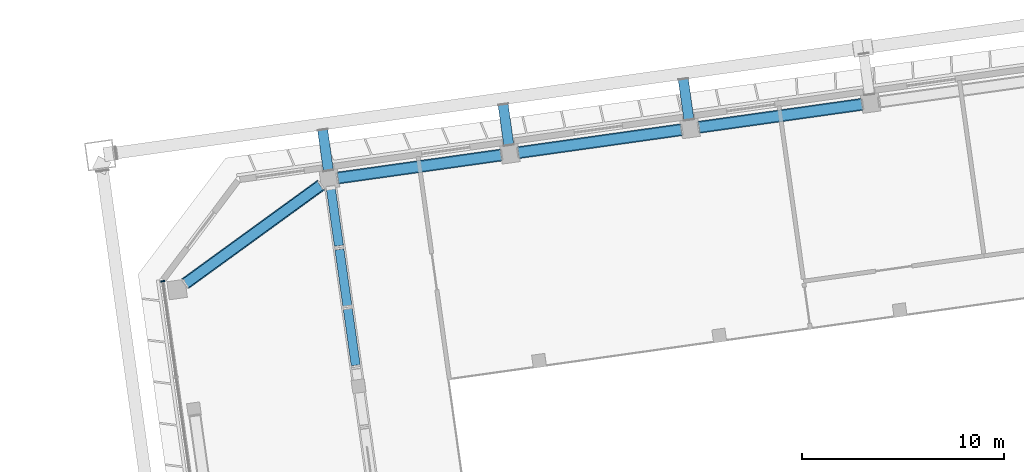
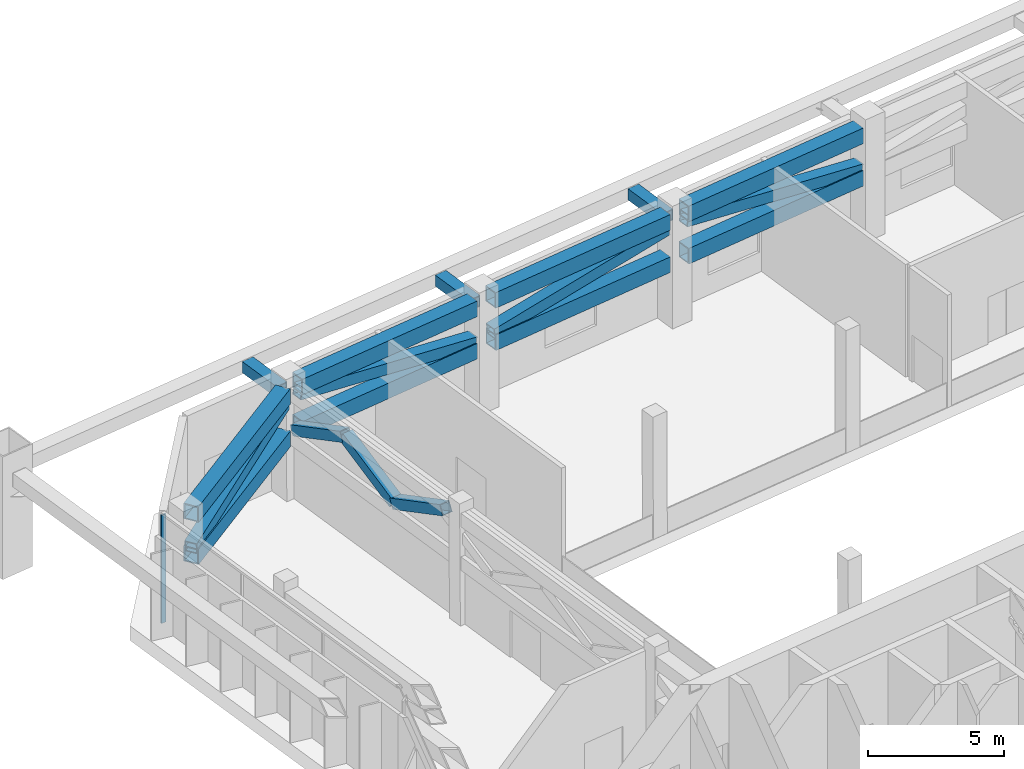
# One storey, part 16 of 41: 19 members, 1 element without a shape of its own.
"""IFC4 building model written with IfcOpenShell, lengths in metres."""

from ifc_helpers import new_model, si_unit, direction, frame, origin, origin_2d, place, context, subcontext, project, spatial, rectangle, hollow_rectangle, extrude, material, material_profile, profile_set, type_object, element, aggregate, save


model = new_model("IFC4")

# Units and contexts
model_context = context("Model", 3, precision=1e-05, world=origin(), true_north=direction((0.0, 1.0)))
body_context = subcontext(model_context, "Body", "Model", "MODEL_VIEW")
ifc_project = project(units=[si_unit("LENGTHUNIT", "METRE"), si_unit("AREAUNIT", "SQUARE_METRE"), si_unit("VOLUMEUNIT", "CUBIC_METRE"), si_unit("PLANEANGLEUNIT", "RADIAN"), si_unit("MASSUNIT", "GRAM", prefix="KILO")], contexts=[model_context])

# Site, building, storey
site_placement = place(None, origin())
site = spatial("IfcSite", under=ifc_project, at=site_placement, CompositionType="ELEMENT")
building_placement = place(site_placement, origin())
building = spatial("IfcBuilding", under=site, at=building_placement, Name="Mirante Cascada Hotel Towers", CompositionType="ELEMENT")
storey_placement = place(building_placement, frame((0.0, 0.0, 151.9)))
storey = spatial("IfcBuildingStorey", under=building, at=storey_placement, Name="L35", CompositionType="ELEMENT", Elevation=151.9)

# Members
ifc_material_1 = material(Name="Steel ASTM A572 Gr 50", Category="steel")
ifc_material_profile_1 = material_profile(ifc_material_1, hollow_rectangle(XDim=0.6, YDim=0.7, WallThickness=0.05, at=origin_2d()), Name="Box chord 700x600x50 ASTM A572 Gr 50")
ifc_profile_set_1 = profile_set([ifc_material_profile_1], Name="Steel ASTM A572 Gr 50")
member_type_1 = type_object("IfcMemberType", Name="Box chord 700x600x50 ASTM A572 Gr 50", PredefinedType="CHORD", material=ifc_profile_set_1)
member_1_placement = place(storey_placement, frame((29.2539, 12.1639, 4.7), z_axis=(0.8090402, 0.5877533, 0.0), x_axis=(-0.5877533, 0.8090402, 0.0)))
element("IfcMember", 1, at=member_1_placement, inside=storey, type_object=member_type_1, Name="belt T2 L35 1", PredefinedType="CHORD", context=body_context, shape_type="SweptSolid", body=[
    extrude(hollow_rectangle(XDim=0.6, YDim=0.7, WallThickness=0.05, at=origin_2d()), origin(), (0.0, 0.0, 1.0), 8.287),
])
member_2_placement = place(storey_placement, frame((29.2539, 12.1635, 2.8), z_axis=(0.8094348, 0.5872098, 0.0), x_axis=(-0.5872098, 0.8094348, 0.0)))
element("IfcMember", 2, at=member_2_placement, inside=storey, type_object=member_type_1, Name="belt T2 L35 2", PredefinedType="CHORD", context=body_context, shape_type="SweptSolid", body=[
    extrude(hollow_rectangle(XDim=0.6, YDim=0.7, WallThickness=0.05, at=origin_2d()), origin(), (0.0, 0.0, 1.0), 8.2992),
])
member_3_placement = place(storey_placement, frame((36.7803, 17.3823, 4.7), z_axis=(0.9902679, 0.1391742, 0.0), x_axis=(-0.1391742, 0.9902679, 0.0)))
element("IfcMember", 3, at=member_3_placement, inside=storey, type_object=member_type_1, Name="belt T2 L35 4", PredefinedType="CHORD", context=body_context, shape_type="SweptSolid", body=[
    extrude(hollow_rectangle(XDim=0.6, YDim=0.7, WallThickness=0.05, at=origin_2d()), origin(), (0.0, 0.0, 1.0), 8.1502),
])
member_4_placement = place(storey_placement, frame((36.7936, 17.3841, 2.8), z_axis=(0.9902683, 0.1391713, 0.0), x_axis=(-0.1391713, 0.9902683, 0.0)))
element("IfcMember", 4, at=member_4_placement, inside=storey, type_object=member_type_1, Name="belt T2 L35 5", PredefinedType="CHORD", context=body_context, shape_type="SweptSolid", body=[
    extrude(hollow_rectangle(XDim=0.6, YDim=0.7, WallThickness=0.05, at=origin_2d()), origin(), (0.0, 0.0, 1.0), 8.1461),
])
member_5_placement = place(storey_placement, frame((45.7028, 18.6362, 4.7), z_axis=(0.9902678, 0.1391753, 0.0), x_axis=(-0.1391753, 0.9902678, 0.0)))
element("IfcMember", 5, at=member_5_placement, inside=storey, type_object=member_type_1, Name="belt T2 L35 7", PredefinedType="CHORD", context=body_context, shape_type="SweptSolid", body=[
    extrude(hollow_rectangle(XDim=0.6, YDim=0.7, WallThickness=0.05, at=origin_2d()), origin(), (0.0, 0.0, 1.0), 8.148),
])
member_6_placement = place(storey_placement, frame((45.712, 18.6375, 2.8), z_axis=(0.9902679, 0.1391744, 0.0), x_axis=(-0.1391744, 0.9902679, 0.0)))
element("IfcMember", 6, at=member_6_placement, inside=storey, type_object=member_type_1, Name="belt T2 L35 8", PredefinedType="CHORD", context=body_context, shape_type="SweptSolid", body=[
    extrude(hollow_rectangle(XDim=0.6, YDim=0.7, WallThickness=0.05, at=origin_2d()), origin(), (0.0, 0.0, 1.0), 8.1387),
])
for number, where, z_axis, x_axis, name in (
    (7, (54.6231, 19.8899, 4.7), (0.9902676, 0.1391765, 0.0), (-0.1391765, 0.9902676, 0.0), "belt T2 L35 10"),
    (8, (54.6231, 19.8899, 2.8), (0.9902676, 0.1391765, 0.0), (-0.1391765, 0.9902676, 0.0), "belt T2 L35 11"),
):
    element("IfcMember", number, at=place(storey_placement, frame(where, z_axis=z_axis, x_axis=x_axis)), inside=storey, type_object=member_type_1, Name=name, PredefinedType="CHORD", context=body_context, shape_type="SweptSolid", body=[
        extrude(hollow_rectangle(XDim=0.6, YDim=0.7, WallThickness=0.05, at=origin_2d()), origin(), (0.0, 0.0, 1.0), 8.14),
    ])
ifc_material_2 = material(Name="Steel ASTM A572 Gr 50", Category="steel")
ifc_material_profile_2 = material_profile(ifc_material_2, hollow_rectangle(XDim=0.45, YDim=0.45, WallThickness=0.03, at=origin_2d()), Name="Box diagonal 450x450x30 ASTM A572 Gr 50")
ifc_profile_set_2 = profile_set([ifc_material_profile_2], Name="Steel ASTM A572 Gr 50")
member_type_2 = type_object("IfcMemberType", Name="Box diagonal 450x450x30 ASTM A572 Gr 50", PredefinedType="BRACE", material=ifc_profile_set_2)
member_7_placement = place(storey_placement, frame((37.6919, 8.0445, 4.45), z_axis=(-0.1267787, 0.9020871, -0.4125119), x_axis=(-0.9902683, -0.1391716, 0.0)))
element("IfcMember", 9, at=member_7_placement, inside=storey, type_object=member_type_2, Name="outrigger T2 L35 8", PredefinedType="BRACE", context=body_context, shape_type="SweptSolid", body=[
    extrude(hollow_rectangle(XDim=0.45, YDim=0.45, WallThickness=0.03, at=origin_2d()), origin(), (0.0, 0.0, 1.0), 3.2726),
])
member_8_placement = place(storey_placement, frame((37.277, 10.9967, 3.1), z_axis=(-0.1267752, 0.9020928, 0.4125005), x_axis=(-0.9902689, -0.1391669, 0.0)))
element("IfcMember", 10, at=member_8_placement, inside=storey, type_object=member_type_2, Name="outrigger T2 L35 9", PredefinedType="BRACE", context=body_context, shape_type="SweptSolid", body=[
    extrude(hollow_rectangle(XDim=0.45, YDim=0.45, WallThickness=0.03, at=origin_2d()), origin(), (0.0, 0.0, 1.0), 3.2727),
])
member_9_placement = place(storey_placement, frame((36.8621, 13.949, 4.45), z_axis=(-0.1267787, 0.9020871, -0.4125119), x_axis=(-0.9902683, -0.1391716, 0.0)))
element("IfcMember", 11, at=member_9_placement, inside=storey, type_object=member_type_2, Name="outrigger T2 L35 10", PredefinedType="BRACE", context=body_context, shape_type="SweptSolid", body=[
    extrude(hollow_rectangle(XDim=0.45, YDim=0.45, WallThickness=0.03, at=origin_2d()), origin(), (0.0, 0.0, 1.0), 3.2726),
])
ifc_material_3 = material(Name="Steel ASTM A572 Gr 50", Category="steel")
ifc_material_profile_3 = material_profile(ifc_material_3, hollow_rectangle(XDim=0.5, YDim=0.5, WallThickness=0.035, at=origin_2d()), Name="Box diagonal 500x500x35 ASTM A572 Gr 50")
ifc_profile_set_3 = profile_set([ifc_material_profile_3], Name="Steel ASTM A572 Gr 50")
member_type_3 = type_object("IfcMemberType", Name="Box diagonal 500x500x35 ASTM A572 Gr 50", PredefinedType="BRACE", material=ifc_profile_set_3)
member_10_placement = place(storey_placement, frame((29.2539, 12.1635, 3.15), z_axis=(0.8006668, 0.581718, 0.1433068), x_axis=(-0.5877849, 0.8090172, 0.0)))
element("IfcMember", 12, at=member_10_placement, inside=storey, type_object=member_type_3, Name="belt T2 L35 3", PredefinedType="BRACE", context=body_context, shape_type="SweptSolid", body=[
    extrude(hollow_rectangle(XDim=0.5, YDim=0.5, WallThickness=0.035, at=origin_2d()), origin(), (0.0, 0.0, 1.0), 8.3736),
])
member_11_placement = place(storey_placement, frame((36.7803, 17.3823, 4.35), z_axis=(0.9797309, 0.137682, -0.1455028), x_axis=(-0.139163, 0.9902695, 0.0)))
element("IfcMember", 13, at=member_11_placement, inside=storey, type_object=member_type_3, Name="belt T2 L35 6", PredefinedType="BRACE", context=body_context, shape_type="SweptSolid", body=[
    extrude(hollow_rectangle(XDim=0.5, YDim=0.5, WallThickness=0.035, at=origin_2d()), origin(), (0.0, 0.0, 1.0), 8.2473),
])
member_12_placement = place(storey_placement, frame((45.712, 18.6375, 3.15), z_axis=(0.9796762, 0.1376859, 0.1458666), x_axis=(-0.1391744, 0.9902679, 0.0)))
element("IfcMember", 14, at=member_12_placement, inside=storey, type_object=member_type_3, Name="belt T2 L35 9", PredefinedType="BRACE", context=body_context, shape_type="SweptSolid", body=[
    extrude(hollow_rectangle(XDim=0.5, YDim=0.5, WallThickness=0.035, at=origin_2d()), origin(), (0.0, 0.0, 1.0), 8.2267),
])
member_13_placement = place(storey_placement, frame((54.6231, 19.8899, 4.35), z_axis=(0.9796793, 0.1376884, -0.1458435), x_axis=(-0.1391765, 0.9902676, 0.0)))
element("IfcMember", 15, at=member_13_placement, inside=storey, type_object=member_type_3, Name="belt T2 L35 12", PredefinedType="BRACE", context=body_context, shape_type="SweptSolid", body=[
    extrude(hollow_rectangle(XDim=0.5, YDim=0.5, WallThickness=0.035, at=origin_2d()), origin(), (0.0, 0.0, 1.0), 8.228),
])
ifc_material_4 = material(Name="Steel ASTM A572 Gr 50", Category="steel")
ifc_material_profile_4 = material_profile(ifc_material_4, hollow_rectangle(XDim=0.5, YDim=0.5, WallThickness=0.035, at=origin_2d()), Name="Box tie 500x500x35 ASTM A572 Gr 50")
ifc_profile_set_4 = profile_set([ifc_material_profile_4], Name="Steel ASTM A572 Gr 50")
member_type_4 = type_object("IfcMemberType", Name="Box tie 500x500x35 ASTM A572 Gr 50", PredefinedType="STRUT", material=ifc_profile_set_4)
member_14_placement = place(storey_placement, frame((36.3275, 17.7529, 4.35), z_axis=(-0.13917, 0.9902685, 0.0), x_axis=(-0.9902685, -0.13917, 0.0)))
element("IfcMember", 16, at=member_14_placement, inside=storey, type_object=member_type_4, Name="tie T2 L35 1", PredefinedType="STRUT", context=body_context, shape_type="SweptSolid", body=[
    extrude(hollow_rectangle(XDim=0.5, YDim=0.5, WallThickness=0.035, at=origin_2d()), origin(), (0.0, 0.0, 1.0), 2.04),
])
member_15_placement = place(storey_placement, frame((45.2399, 19.0054, 4.35), z_axis=(-0.1391632, 0.9902695, 0.0), x_axis=(-0.9902695, -0.1391632, 0.0)))
element("IfcMember", 17, at=member_15_placement, inside=storey, type_object=member_type_4, Name="tie T2 L35 3", PredefinedType="STRUT", context=body_context, shape_type="SweptSolid", body=[
    extrude(hollow_rectangle(XDim=0.5, YDim=0.5, WallThickness=0.035, at=origin_2d()), origin(), (0.0, 0.0, 1.0), 2.0401),
])
member_16_placement = place(storey_placement, frame((54.1375, 20.2559, 4.35), z_axis=(-0.13917, 0.9902685, 0.0), x_axis=(-0.9902685, -0.13917, 0.0)))
element("IfcMember", 18, at=member_16_placement, inside=storey, type_object=member_type_4, Name="tie T2 L35 5", PredefinedType="STRUT", context=body_context, shape_type="SweptSolid", body=[
    extrude(hollow_rectangle(XDim=0.5, YDim=0.5, WallThickness=0.035, at=origin_2d()), origin(), (0.0, 0.0, 1.0), 2.04),
])

# Curtain wall, member
ifc_material_5 = material(Name="Aluminium mullion and transom frame with clear laminated glass", Category="aluminium")
curtain_wall_type = type_object("IfcCurtainWallType", Name="End ribbon curtain wall ECW2", PredefinedType="NOTDEFINED", material=ifc_material_5)
curtain_wall_placement = place(storey_placement, origin())
curtain_wall = element("IfcCurtainWall", 19, at=curtain_wall_placement, inside=storey, type_object=curtain_wall_type, Name="Inner end wall T2 L35", PredefinedType="NOTDEFINED")
ifc_material_6 = material(Name="Anodised aluminium extrusion", Category="aluminium")
ifc_material_profile_5 = material_profile(ifc_material_6, rectangle(XDim=0.2, YDim=0.065, at=origin_2d()), Name="ECW2 MULLION 65x200")
ifc_profile_set_5 = profile_set([ifc_material_profile_5], Name="Anodised aluminium extrusion")
member_type_5 = type_object("IfcMemberType", Name="ECW2 mullion 65x200", PredefinedType="MULLION", material=ifc_profile_set_5)
member_17_placement = place(storey_placement, frame((28.1437, 12.2861, 0.1), z_axis=(0.0, 0.0, 1.0), x_axis=(0.9902681, 0.1391731, 0.0)))
member_17 = element("IfcMember", 20, at=member_17_placement, type_object=member_type_5, Name="ECW2 mullion 1", PredefinedType="MULLION", context=body_context, shape_type="SweptSolid", body=[
    extrude(rectangle(XDim=0.2, YDim=0.065, at=origin_2d()), origin(), (0.0, 0.0, 1.0), 4.85),
])
aggregate(curtain_wall, [member_17])

save(model, "model.ifc")
